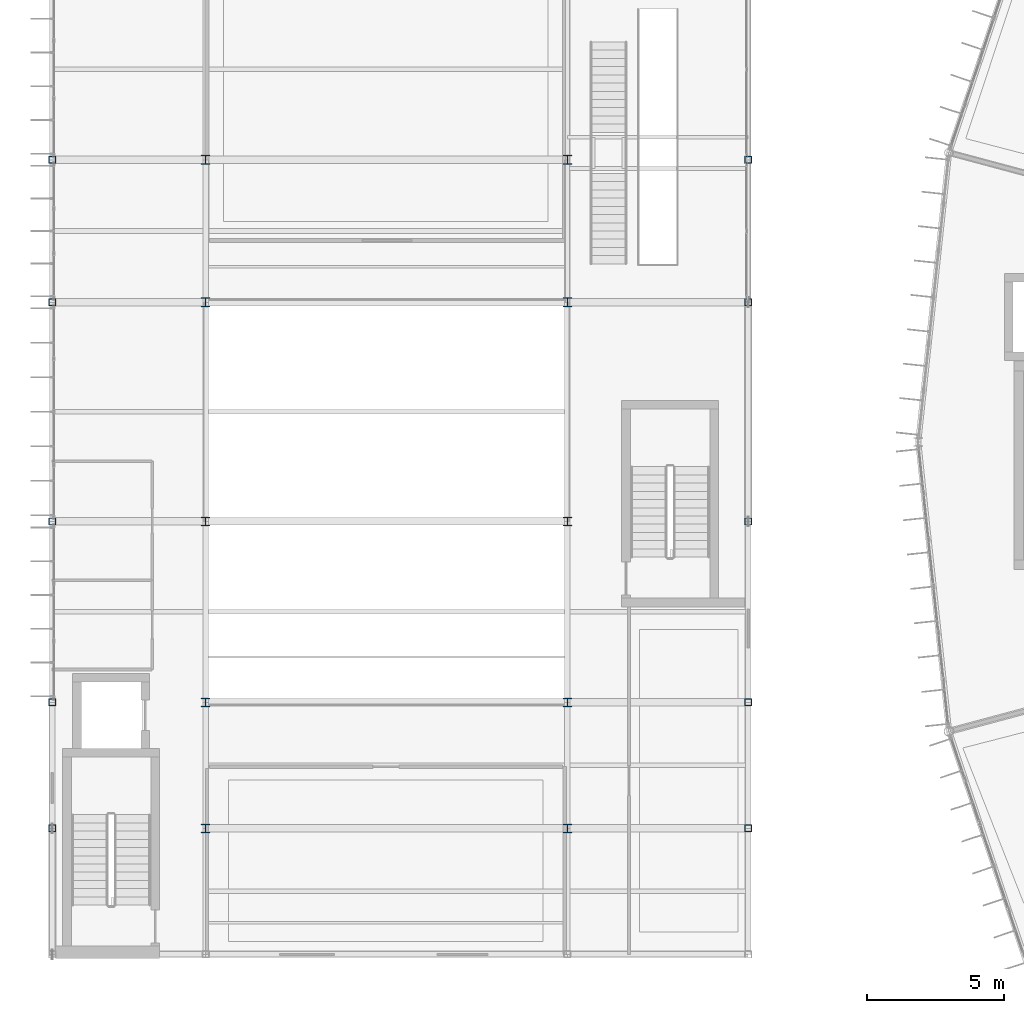
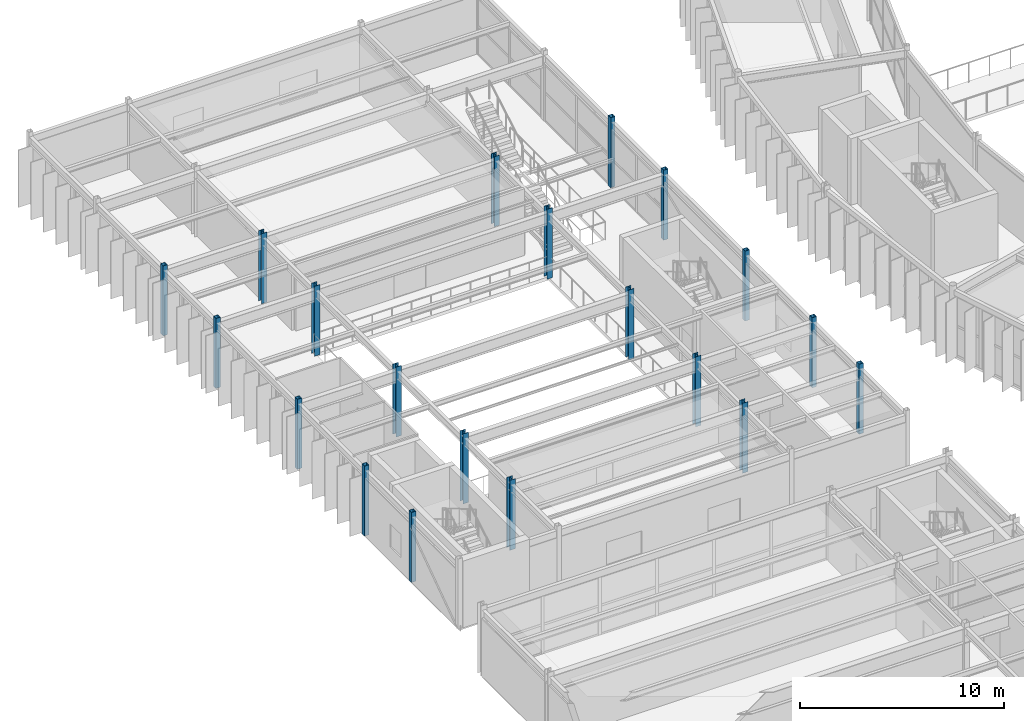
# One storey, part 4 of 148: 20 columns.
"""IFC4 building model written with IfcOpenShell, lengths in metres."""

from ifc_helpers import new_model, si_unit, direction, frame, origin, origin_2d, place, context, subcontext, project, spatial, hollow_rectangle, i_section, extrude, material, material_profile, profile_set, type_object, element, save


model = new_model("IFC4")

# Units and contexts
model_context = context("Model", 3, precision=1e-05, world=origin(), true_north=direction((0.0, 1.0)))
body_context = subcontext(model_context, "Body", "Model", "MODEL_VIEW")
ifc_project = project(units=[si_unit("LENGTHUNIT", "METRE"), si_unit("AREAUNIT", "SQUARE_METRE"), si_unit("VOLUMEUNIT", "CUBIC_METRE"), si_unit("PLANEANGLEUNIT", "RADIAN"), si_unit("MASSUNIT", "GRAM", prefix="KILO")], contexts=[model_context])

# Site, building, storey
site_placement = place(None, origin())
site = spatial("IfcSite", under=ifc_project, at=site_placement, CompositionType="ELEMENT")
building_placement = place(site_placement, origin())
building = spatial("IfcBuilding", under=site, at=building_placement, Name="Karori Crest Natural Sciences Institute", CompositionType="ELEMENT")
storey_placement = place(building_placement, frame((0.0, 0.0, 4.89990234375)))
storey = spatial("IfcBuildingStorey", under=building, at=storey_placement, Name="L01", CompositionType="ELEMENT", Elevation=4.89990234375)

# Columns
ifc_material_1 = material(Name="Structural steel AS/NZS 3679.1 Grade 350", Category="steel")
ifc_material_profile_1 = material_profile(ifc_material_1, i_section(OverallWidth=0.306884765625, OverallDepth=0.31494140625, WebThickness=0.011962890625, FlangeThickness=0.018798828125, FilletRadius=0.01708984375, at=origin_2d()), Name="310UC118")
ifc_profile_set_1 = profile_set([ifc_material_profile_1], Name="Structural steel AS/NZS 3679.1 Grade 350")
column_type_1 = type_object("IfcColumnType", Name="CT-05", PredefinedType="COLUMN", material=ifc_profile_set_1)
for number, where, z_axis, x_axis, name in (
    (1, (7.39990234375, 35.800048828125, 0.0), (0.0, 0.0, 1.0), (1.0, 0.0, 0.0), "Column C-0582"),
    (2, (7.39990234375, 40.39990234375, 0.0), (0.0, 0.0, 1.0), (1.0, 0.0, 0.0), "Column C-0588"),
    (3, (7.39990234375, 47.0, 0.0), (0.0, 0.0, 1.0), (1.0, 0.0, 0.0), "Column C-0594"),
    (4, (7.39990234375, 55.0, 0.0), (0.0, 0.0, 1.0), (1.0, 0.0, 0.0), "Column C-0600"),
    (5, (7.39990234375, 60.199951171875, 0.0), (0.0, 0.0, 1.0), (1.0, 0.0, 0.0), "Column C-0606"),
    (6, (20.60009765625, 35.800048828125, 0.0), (0.0, 0.0, 1.0), (1.0, 0.0, 0.0), "Column C-0627"),
    (7, (20.60009765625, 40.39990234375, 0.0), (0.0, 0.0, 1.0), (1.0, 0.0, 0.0), "Column C-0633"),
    (8, (20.60009765625, 47.0, 0.0), (0.0, 0.0, 1.0), (1.0, 0.0, 0.0), "Column C-0639"),
    (9, (20.60009765625, 55.0, 0.0), (0.0, 0.0, 1.0), (1.0, 0.0, 0.0), "Column C-0645"),
    (10, (20.60009765625, 60.199951171875, 0.0), (0.0, 0.0, 1.0), (1.0, 0.0, 0.0), "Column C-0651"),
):
    element("IfcColumn", number, at=place(storey_placement, frame(where, z_axis=z_axis, x_axis=x_axis)), inside=storey, type_object=column_type_1, Name=name, PredefinedType="COLUMN", context=body_context, shape_type="SweptSolid", body=[
        extrude(i_section(OverallWidth=0.306884765625, OverallDepth=0.31494140625, WebThickness=0.011962890625, FlangeThickness=0.018798828125, FilletRadius=0.01708984375, at=origin_2d()), origin(), (0.0, 0.0, 1.0), 4.2001953125),
    ])
ifc_material_2 = material(Name="Hollow structural steel AS/NZS 1163 Grade C350", Category="steel")
ifc_material_profile_2 = material_profile(ifc_material_2, hollow_rectangle(XDim=0.25, YDim=0.25, WallThickness=0.012451171875, at=origin_2d()), Name="SHS250x250x12.5")
ifc_profile_set_2 = profile_set([ifc_material_profile_2], Name="Hollow structural steel AS/NZS 1163 Grade C350")
column_type_2 = type_object("IfcColumnType", Name="CT-12", PredefinedType="COLUMN", material=ifc_profile_set_2)
for number, where, z_axis, x_axis, name in (
    (11, (1.800048828125, 35.800048828125, 0.0), (0.0, 0.0, 1.0), (1.0, 0.0, 0.0), "Column C-0537"),
    (12, (1.800048828125, 40.39990234375, 0.0), (0.0, 0.0, 1.0), (1.0, 0.0, 0.0), "Column C-0543"),
    (13, (1.800048828125, 47.0, 0.0), (0.0, 0.0, 1.0), (1.0, 0.0, 0.0), "Column C-0549"),
    (14, (1.800048828125, 55.0, 0.0), (0.0, 0.0, 1.0), (1.0, 0.0, 0.0), "Column C-0555"),
    (15, (1.800048828125, 60.199951171875, 0.0), (0.0, 0.0, 1.0), (1.0, 0.0, 0.0), "Column C-0561"),
    (16, (27.199951171875, 35.800048828125, 0.0), (0.0, 0.0, 1.0), (1.0, 0.0, 0.0), "Column C-0672"),
    (17, (27.199951171875, 40.39990234375, 0.0), (0.0, 0.0, 1.0), (1.0, 0.0, 0.0), "Column C-0678"),
    (18, (27.199951171875, 47.0, 0.0), (0.0, 0.0, 1.0), (1.0, 0.0, 0.0), "Column C-0684"),
    (19, (27.199951171875, 55.0, 0.0), (0.0, 0.0, 1.0), (1.0, 0.0, 0.0), "Column C-0690"),
    (20, (27.199951171875, 60.199951171875, 0.0), (0.0, 0.0, 1.0), (1.0, 0.0, 0.0), "Column C-0696"),
):
    element("IfcColumn", number, at=place(storey_placement, frame(where, z_axis=z_axis, x_axis=x_axis)), inside=storey, type_object=column_type_2, Name=name, PredefinedType="COLUMN", context=body_context, shape_type="SweptSolid", body=[
        extrude(hollow_rectangle(XDim=0.25, YDim=0.25, WallThickness=0.012451171875, at=origin_2d()), origin(), (0.0, 0.0, 1.0), 4.2001953125),
    ])

save(model, "model.ifc")
